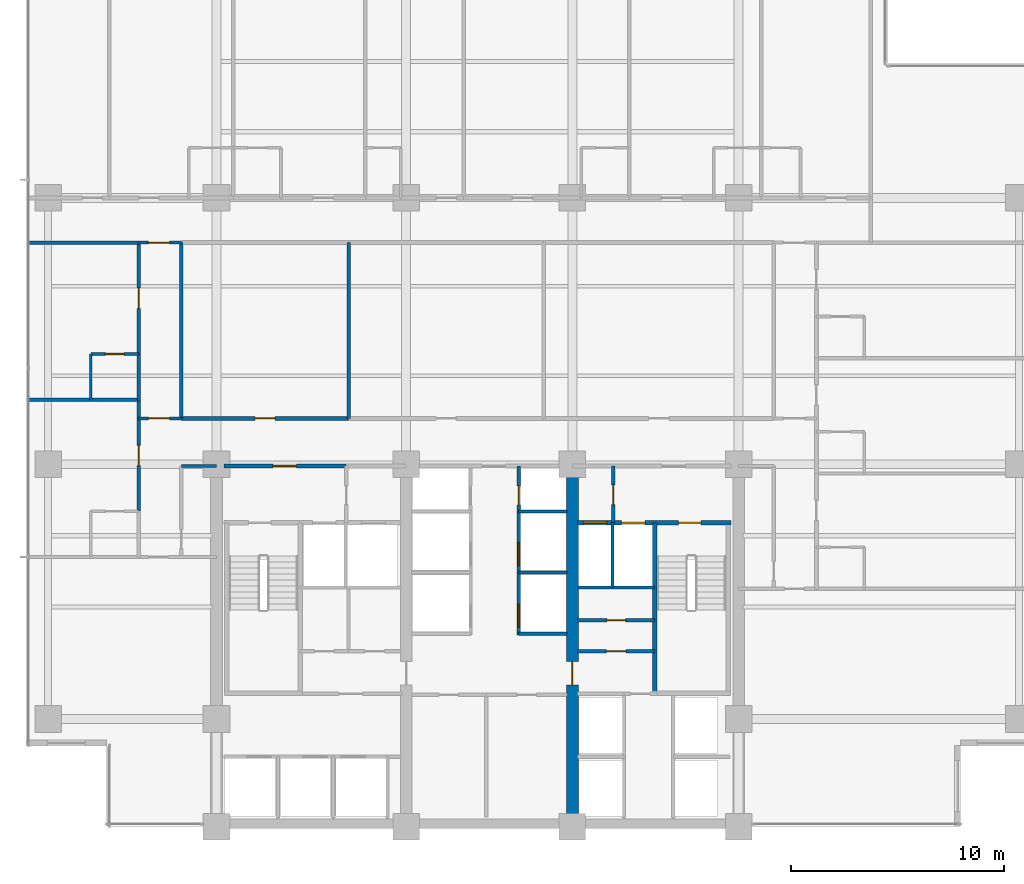
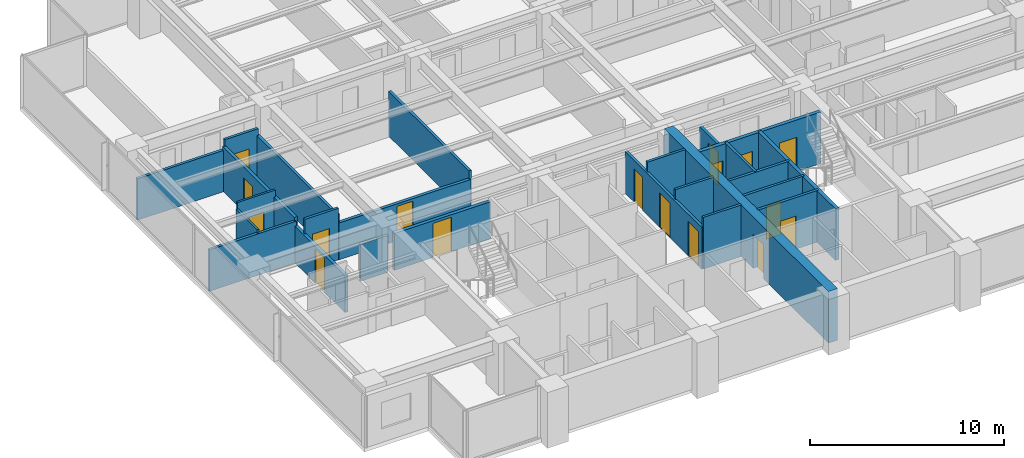
# One storey, part 9 of 17: 26 walls, 17 doors, 17 openings.
"""IFC4 building model written with IfcOpenShell, lengths in metres."""

import ifcopenshell
import ifcopenshell.guid

model = None  # the IFC model being written
_history = None  # IfcOwnerHistory: only IFC2X3 demands one
_inside = {}  # id of a spatial element -> (the spatial element, [elements in it])
_under = {}  # id of a project, library or spatial element -> (it, [spatial elements below it])
_declared = {}  # id of a project -> (the project, [libraries it declares])
_typed = {}  # id of a type object -> (the type object, [elements of that type])
_made_of = {}  # id of a material, layer set ... -> (it, [elements and type objects made of it])


def new_model(schema):
    """Start an empty IFC model of exactly this schema.

    Asked for "IFC4X3", IfcOpenShell would pick the latest addendum, in which some entities
    have other attributes; the version numbers below select the first issue.
    IFC2X3 requires an IfcOwnerHistory on every rooted entity: one is made here for all.
    """
    global model, _history
    if schema == "IFC4X3":
        model = ifcopenshell.file(schema_version=(4, 3, 0, 0))
    else:
        model = ifcopenshell.file(schema=schema)
    _inside.clear()
    _under.clear()
    _declared.clear()
    _typed.clear()
    _made_of.clear()
    _history = None
    if model.schema == "IFC2X3":
        org = make("IfcOrganization", Name="unknown")
        user = make(
            "IfcPersonAndOrganization",
            ThePerson=make("IfcPerson", FamilyName="unknown"),
            TheOrganization=org,
        )
        app = make(
            "IfcApplication",
            ApplicationDeveloper=org,
            Version="unknown",
            ApplicationFullName="unknown",
            ApplicationIdentifier="unknown",
        )
        _history = make(
            "IfcOwnerHistory",
            OwningUser=user,
            OwningApplication=app,
            ChangeAction="ADDED",
            CreationDate=0,
        )
    return model


def make(cls, **values):
    """One entity of the class cls with the attributes given. An attribute that is None is left unset."""
    return model.create_entity(
        cls, **{name: value for name, value in values.items() if value is not None}
    )


def rooted(cls, **values):
    """An entity with a GlobalId (a new one), such as an element, a storey or a relation."""
    return make(cls, GlobalId=ifcopenshell.guid.new(), OwnerHistory=_history, **values)


def si_unit(unit_type, name, prefix=None):
    """IfcSIUnit, for example si_unit("LENGTHUNIT", "METRE", prefix="MILLI")."""
    return make("IfcSIUnit", UnitType=unit_type, Prefix=prefix, Name=name)


def assignment(units):
    """IfcUnitAssignment: the units of a project."""
    return None if units is None else make("IfcUnitAssignment", Units=units)


def point(xyz):
    """IfcCartesianPoint."""
    return None if xyz is None else make("IfcCartesianPoint", Coordinates=xyz)


def direction(xyz):
    """IfcDirection."""
    return None if xyz is None else make("IfcDirection", DirectionRatios=xyz)


def frame(location, z_axis=None, x_axis=None):
    """IfcAxis2Placement3D, a coordinate frame: its origin and axes. An axis left out is left unset."""
    return make(
        "IfcAxis2Placement3D",
        Location=point(location),
        Axis=direction(z_axis),
        RefDirection=direction(x_axis),
    )


def frame_2d(location, x_axis=None):
    """IfcAxis2Placement2D, a coordinate frame in the plane: its origin and x axis."""
    return make(
        "IfcAxis2Placement2D", Location=point(location), RefDirection=direction(x_axis)
    )


def origin():
    """The frame at (0, 0, 0) with its axes left unset."""
    return frame((0.0, 0.0, 0.0))


def place(relative_to, where):
    """IfcLocalPlacement: puts the frame where relative to a parent placement (None: the world)."""
    return make(
        "IfcLocalPlacement", PlacementRelTo=relative_to, RelativePlacement=where
    )


def context(
    kind, dimensions, precision=None, world=None, true_north=None, identifier=None
):
    """IfcGeometricRepresentationContext, for example the 3D "Model" context."""
    return make(
        "IfcGeometricRepresentationContext",
        ContextIdentifier=identifier,
        ContextType=kind,
        CoordinateSpaceDimension=dimensions,
        Precision=precision,
        WorldCoordinateSystem=world,
        TrueNorth=true_north,
    )


def subcontext(parent, identifier, kind, view, scale=None):
    """IfcGeometricRepresentationSubContext, for example "Body" below "Model"."""
    return make(
        "IfcGeometricRepresentationSubContext",
        ContextIdentifier=identifier,
        ContextType=kind,
        ParentContext=parent,
        TargetScale=scale,
        TargetView=view,
    )


def project(units=None, contexts=None):
    """IfcProject with its units and contexts."""
    return rooted(
        "IfcProject",
        Name="project",
        RepresentationContexts=contexts,
        UnitsInContext=assignment(units),
    )


def spatial(cls, under=None, at=None, **own):
    """A site, building, storey or space (cls), placed at a placement, below another one or the project."""
    s = rooted(cls, ObjectPlacement=at, **own)
    if under is not None:
        _under.setdefault(under.id(), (under, []))[1].append(s)
    return s


def profile(cls, at=None, kind="AREA", **sizes):
    """A parametric profile (cls). Its sizes go by their IFC names, for example OverallWidth=200.0."""
    return make(cls, ProfileType=kind, Position=at, **sizes)


def rectangle(**sizes):
    """IfcRectangleProfileDef."""
    return profile("IfcRectangleProfileDef", **sizes)


def extrude(swept, where, along, depth):
    """IfcExtrudedAreaSolid: the profile swept, set in the frame where, extruded along a direction by depth."""
    return make(
        "IfcExtrudedAreaSolid",
        SweptArea=swept,
        Position=where,
        ExtrudedDirection=direction(along),
        Depth=depth,
    )


def shape(context_of_items, identifier, shape_type, items):
    """IfcShapeRepresentation: the items that make up one representation, for example the "Body"."""
    return make(
        "IfcShapeRepresentation",
        ContextOfItems=context_of_items,
        RepresentationIdentifier=identifier,
        RepresentationType=shape_type,
        Items=items,
    )


def material(Name=None, Category=None):
    """IfcMaterial."""
    return make("IfcMaterial", Name=Name, Category=Category)


def layer(
    of_material, thickness, ventilated=None, Name=None, Category=None, Priority=None
):
    """IfcMaterialLayer: one layer of a wall or slab, of a material (None: an air gap)."""
    return make(
        "IfcMaterialLayer",
        Material=of_material,
        LayerThickness=thickness,
        IsVentilated=ventilated,
        Name=Name,
        Category=Category,
        Priority=Priority,
    )


def layer_set(layers, Name=None):
    """IfcMaterialLayerSet."""
    return make("IfcMaterialLayerSet", MaterialLayers=layers, LayerSetName=Name)


def made_of(thing, what):
    """Note that an element or type object is made of a material, layer set ...; save() writes the relation."""
    if what is not None:
        _made_of.setdefault(what.id(), (what, []))[1].append(thing)
    return thing


def type_object(cls, material=None, **own):
    """A type object (cls), such as IfcWallType, which elements share."""
    return made_of(rooted(cls, **own), material)


def element(
    cls,
    number,
    at=None,
    inside=None,
    cuts=None,
    type_object=None,
    material=None,
    context=None,
    identifier="Body",
    shape_type=None,
    held_by="IfcProductDefinitionShape",
    body=None,
    shapes=None,
    **own,
):
    """One element of the class cls, such as IfcWall. Its Tag is "e" and its number.

    at: its placement. inside: the storey or other place that contains it. cuts: it is an
    opening in that element (IfcRelVoidsElement). A single representation is given by context,
    identifier, shape_type and body (its items); several are given by shapes. held_by: the class
    of the entity that holds the representations. save() writes the other relations.
    """
    e = rooted(cls, Tag="e%d" % number, ObjectPlacement=at, **own)
    if body is not None:
        shapes = [shape(context, identifier, shape_type, body)]
    if shapes is not None:
        e.Representation = make(held_by, Representations=shapes)
    if inside is not None:
        _inside.setdefault(inside.id(), (inside, []))[1].append(e)
    if cuts is not None:
        rooted(
            "IfcRelVoidsElement", RelatingBuildingElement=cuts, RelatedOpeningElement=e
        )
    if type_object is not None:
        _typed.setdefault(type_object.id(), (type_object, []))[1].append(e)
    return made_of(e, material)


def fill(opening, filler):
    """IfcRelFillsElement: the door or window that sits in an opening."""
    return rooted(
        "IfcRelFillsElement",
        RelatingOpeningElement=opening,
        RelatedBuildingElement=filler,
    )


def aggregate(whole, parts):
    """IfcRelAggregates: a whole, such as a stair, and the parts it consists of."""
    return rooted("IfcRelAggregates", RelatingObject=whole, RelatedObjects=parts)


def save(model, path):
    """Write the relations noted so far, then the file.

    IfcRelAggregates (storeys below a building ...), IfcRelContainedInSpatialStructure (elements
    in a storey), IfcRelDefinesByType, IfcRelAssociatesMaterial and IfcRelDeclares: one each for
    every whole, place, type object, material and project.
    """
    for whole, parts in _under.values():
        aggregate(whole, parts)
    for where, things in _inside.values():
        rooted(
            "IfcRelContainedInSpatialStructure",
            RelatedElements=things,
            RelatingStructure=where,
        )
    for kind, things in _typed.values():
        rooted("IfcRelDefinesByType", RelatedObjects=things, RelatingType=kind)
    for what, things in _made_of.values():
        rooted("IfcRelAssociatesMaterial", RelatedObjects=things, RelatingMaterial=what)
    for by, libraries in _declared.values():
        rooted("IfcRelDeclares", RelatingContext=by, RelatedDefinitions=libraries)
    model.write(path)


model = new_model("IFC4")

# Units and contexts
model_context = context("Model", 3, precision=1e-05, world=origin(), true_north=direction((0.0, 1.0)))
body_context = subcontext(model_context, "Body", "Model", "MODEL_VIEW")
ifc_project = project(units=[si_unit("LENGTHUNIT", "METRE"), si_unit("AREAUNIT", "SQUARE_METRE"), si_unit("VOLUMEUNIT", "CUBIC_METRE"), si_unit("PLANEANGLEUNIT", "RADIAN"), si_unit("MASSUNIT", "GRAM", prefix="KILO")], contexts=[model_context])

# Site, building, storey
site_placement = place(None, origin())
site = spatial("IfcSite", under=ifc_project, at=site_placement, CompositionType="ELEMENT")
building_placement = place(site_placement, origin())
building = spatial("IfcBuilding", under=site, at=building_placement, Name="Qalmaran Belvedere Hotel", CompositionType="ELEMENT")
storey_placement = place(building_placement, frame((0.0, 0.0, 109.199951171875)))
storey = spatial("IfcBuildingStorey", under=building, at=storey_placement, Name="L27", CompositionType="ELEMENT", Elevation=109.199951171875)

# Wall, opening, door
ifc_material_1 = material(Name="Concrete C60/75", Category="concrete")
ifc_layer_1 = layer(ifc_material_1, 0.550048828125, Name="Concrete C60/75")
ifc_layer_set_1 = layer_set([ifc_layer_1], Name="Concrete C60/75")
wall_type_1 = type_object("IfcWallType", Name="WL-CORE-550-C60", PredefinedType="SHEAR", material=ifc_layer_set_1)
wall_1_placement = place(storey_placement, frame((37.0, 3.5, 0.0), z_axis=(0.0, 0.0, 1.0), x_axis=(0.0, 1.0, 0.0)))
wall_1 = element("IfcWall", 1, at=wall_1_placement, inside=storey, type_object=wall_type_1, Name="L27 Core East Spine Shear Wall", PredefinedType="SHEAR", context=body_context, shape_type="SweptSolid", body=[
    extrude(rectangle(XDim=16.89990234375, YDim=0.550048828125, at=frame_2d((8.449951171875, 0.0))), origin(), (0.0, 0.0, 1.0), 3.239990234375),
])
opening_1_placement = place(wall_1_placement, frame((6.64990234375, 0.0, 0.0)))
opening_1 = element("IfcOpeningElement", 2, at=opening_1_placement, cuts=wall_1, Name="Opening FD90", PredefinedType="OPENING", context=body_context, shape_type="SweptSolid", body=[
    extrude(rectangle(XDim=1.10009765625, YDim=2.14990234375, at=frame_2d((0.550048828125, 1.074951171875))), frame((0.0, 0.28515625, 0.0), z_axis=(0.0, -1.0, 0.0), x_axis=(1.0, 0.0, 0.0)), (0.0, 0.0, 1.0), 0.570068359375),
])
ifc_material_2 = material(Name="Steel S355JR", Category="steel")
door_type_1 = type_object("IfcDoorType", Name="DR-FD90-1100X2150", OperationType="NOTDEFINED", PredefinedType="DOOR", material=ifc_material_2)
door_1_placement = place(opening_1_placement, origin())
door_1 = element("IfcDoor", 3, at=door_1_placement, inside=storey, type_object=door_type_1, Name="L27 Core East Cross-Lobby Door", OperationType="SINGLE_SWING_RIGHT", OverallHeight=2.14990234375, OverallWidth=1.10009765625, PredefinedType="DOOR", context=body_context, shape_type="SweptSolid", body=[
    extrude(rectangle(XDim=1.10009765625, YDim=2.14990234375, at=frame_2d((0.550048828125, 1.074951171875))), frame((0.0, 0.02490234375, 0.0), z_axis=(0.0, -1.0, 0.0), x_axis=(1.0, 0.0, 0.0)), (0.0, 0.0, 1.0), 0.050048828125),
])
fill(opening_1, door_1)

ifc_material_3 = material(Name="Moisture-Resistant Gypsum")
ifc_layer_2 = layer(ifc_material_3, 0.1201171875, Name="Moisture-Resistant Gypsum")
ifc_layer_set_2 = layer_set([ifc_layer_2], Name="Moisture-Resistant Gypsum")
wall_type_2 = type_object("IfcWallType", Name="WL-INT-120-BATH", PredefinedType="PARTITIONING", material=ifc_layer_set_2)
wall_2_placement = place(storey_placement, frame((14.39990234375, 25.675048828125, 0.0), z_axis=(0.0, 0.0, 1.0), x_axis=(1.0, 0.0, 0.0)))
wall_2 = element("IfcWall", 4, at=wall_2_placement, inside=storey, type_object=wall_type_2, Name="L27 Partition WL-L27-WBN01", PredefinedType="PARTITIONING", context=body_context, shape_type="SweptSolid", body=[
    extrude(rectangle(XDim=2.25, YDim=0.1201171875, at=frame_2d((1.125, 0.0))), origin(), (0.0, 0.0, 1.0), 3.239990234375),
])
opening_2_placement = place(wall_2_placement, frame((1.56494140625, 0.0, 0.0), z_axis=(0.0, 0.0, 1.0), x_axis=(-1.0, 0.0, 0.0)))
opening_2 = element("IfcOpeningElement", 5, at=opening_2_placement, cuts=wall_2, Name="Opening D-BATH", PredefinedType="OPENING", context=body_context, shape_type="SweptSolid", body=[
    extrude(rectangle(XDim=0.8798828125, YDim=2.080078125, at=frame_2d((0.43994140625, 1.0400390625))), frame((0.0, 0.070068359375, 0.0), z_axis=(0.0, -1.0, 0.0), x_axis=(1.0, 0.0, 0.0)), (0.0, 0.0, 1.0), 0.14013671875),
])
ifc_material_4 = material(Name="Engineered Oak Veneer")
door_type_2 = type_object("IfcDoorType", Name="DR-INT-BATH-880X2080", OperationType="NOTDEFINED", PredefinedType="DOOR", material=ifc_material_4)
door_2_placement = place(opening_2_placement, origin())
door_2 = element("IfcDoor", 6, at=door_2_placement, inside=storey, type_object=door_type_2, Name="L27 W Ensuite Door 02", OperationType="SINGLE_SWING_LEFT", OverallHeight=2.080078125, OverallWidth=0.8798828125, PredefinedType="DOOR", context=body_context, shape_type="SweptSolid", body=[
    extrude(rectangle(XDim=0.8798828125, YDim=2.080078125, at=frame_2d((0.43994140625, 1.0400390625))), frame((0.0, 0.02490234375, 0.0), z_axis=(0.0, -1.0, 0.0), x_axis=(1.0, 0.0, 0.0)), (0.0, 0.0, 1.0), 0.050048828125),
])
fill(opening_2, door_2)

# Walls
wall_3_placement = place(storey_placement, frame((14.39990234375, 23.52490234375, 0.0), z_axis=(0.0, 0.0, 1.0), x_axis=(0.0, 1.0, 0.0)))
element("IfcWall", 7, at=wall_3_placement, inside=storey, type_object=wall_type_2, Name="L27 Partition WL-L27-WBS01", PredefinedType="PARTITIONING", context=body_context, shape_type="SweptSolid", body=[
    extrude(rectangle(XDim=2.150146484375, YDim=0.1201171875, at=frame_2d((1.0751953125, 0.0))), origin(), (0.0, 0.0, 1.0), 2.818115234375),
])
ifc_material_5 = material(Name="Gypsum Stud Partition")
ifc_layer_3 = layer(ifc_material_5, 0.14990234375, Name="Gypsum Stud Partition")
ifc_layer_set_3 = layer_set([ifc_layer_3], Name="Gypsum Stud Partition")
wall_type_3 = type_object("IfcWallType", Name="WL-INT-150-EI120", PredefinedType="PARTITIONING", material=ifc_layer_set_3)
wall_4_placement = place(storey_placement, frame((38.8798828125, 14.719970703125, 0.0), z_axis=(0.0, 0.0, 1.0), x_axis=(0.0, 1.0, 0.0)))
element("IfcWall", 8, at=wall_4_placement, inside=storey, type_object=wall_type_3, Name="L27 Partition WL-FF2M-L27", PredefinedType="PARTITIONING", context=body_context, shape_type="SweptSolid", body=[
    extrude(rectangle(XDim=3.0400390625, YDim=0.14990234375, at=frame_2d((1.52001953125, 0.0))), origin(), (0.0, 0.0, 1.0), 3.239990234375),
])
for number, where, z_axis, x_axis, name in (
    (9, (34.47998046875, 12.550048828125, 0.0), (0.0, 0.0, 1.0), (1.0, 0.0, 0.0), "L27 Partition WL-PME-L27-125"),
    (10, (34.47998046875, 15.419921875, 0.0), (0.0, 0.0, 1.0), (1.0, 0.0, 0.0), "L27 Partition WL-PME-L27-154"),
    (11, (34.47998046875, 18.280029296875, 0.0), (0.0, 0.0, 1.0), (1.0, 0.0, 0.0), "L27 Partition WL-PME-L27-182"),
):
    element("IfcWall", number, at=place(storey_placement, frame(where, z_axis=z_axis, x_axis=x_axis)), inside=storey, type_object=wall_type_3, Name=name, PredefinedType="PARTITIONING", context=body_context, shape_type="SweptSolid", body=[
        extrude(rectangle(XDim=2.27001953125, YDim=0.14990234375, at=frame_2d((1.135009765625, 0.0))), origin(), (0.0, 0.0, 1.0), 3.239990234375),
    ])

# Wall, opening, door
ifc_layer_4 = layer(ifc_material_5, 0.14990234375, Name="Gypsum Stud Partition")
ifc_layer_set_4 = layer_set([ifc_layer_4], Name="Gypsum Stud Partition")
wall_type_4 = type_object("IfcWallType", Name="WL-INT-150-EI60", PredefinedType="PARTITIONING", material=ifc_layer_set_4)
wall_5_placement = place(storey_placement, frame((37.25, 13.18505859375, 0.0), z_axis=(0.0, 0.0, 1.0), x_axis=(1.0, 0.0, 0.0)))
wall_5 = element("IfcWall", 12, at=wall_5_placement, inside=storey, type_object=wall_type_4, Name="L27 Partition WL-L27-KEHM", PredefinedType="PARTITIONING", context=body_context, shape_type="SweptSolid", body=[
    extrude(rectangle(XDim=3.610107421875, YDim=0.14990234375, at=frame_2d((1.80517578125, 0.0))), origin(), (0.0, 0.0, 1.0), 3.239990234375),
])
opening_3_placement = place(wall_5_placement, frame((1.364990234375, 0.0, 0.0)))
opening_3 = element("IfcOpeningElement", 13, at=opening_3_placement, cuts=wall_5, Name="Opening FD60B", PredefinedType="OPENING", context=body_context, shape_type="SweptSolid", body=[
    extrude(rectangle(XDim=0.8798828125, YDim=2.080078125, at=frame_2d((0.43994140625, 1.0400390625))), frame((0.0, 0.0849609375, 0.0), z_axis=(0.0, -1.0, 0.0), x_axis=(1.0, 0.0, 0.0)), (0.0, 0.0, 1.0), 0.169921875),
])
door_type_3 = type_object("IfcDoorType", Name="DR-FD60B-880X2080", OperationType="NOTDEFINED", PredefinedType="DOOR", material=ifc_material_2)
door_3_placement = place(opening_3_placement, origin())
door_3 = element("IfcDoor", 14, at=door_3_placement, inside=storey, type_object=door_type_3, Name="L27 Hotel Linen Closet Door", OperationType="SINGLE_SWING_LEFT", OverallHeight=2.080078125, OverallWidth=0.8798828125, PredefinedType="DOOR", context=body_context, shape_type="SweptSolid", body=[
    extrude(rectangle(XDim=0.8798828125, YDim=2.080078125, at=frame_2d((0.43994140625, 1.0400390625))), frame((0.0, 0.02490234375, 0.0), z_axis=(0.0, -1.0, 0.0), x_axis=(1.0, 0.0, 0.0)), (0.0, 0.0, 1.0), 0.050048828125),
])
fill(opening_3, door_3)

wall_6_placement = place(storey_placement, frame((16.64990234375, 22.64990234375, 0.0), z_axis=(0.0, 0.0, 1.0), x_axis=(1.0, 0.0, 0.0)))
wall_6 = element("IfcWall", 15, at=wall_6_placement, inside=storey, type_object=wall_type_4, Name="L27 Partition WL-L27-XCW1", PredefinedType="PARTITIONING", context=body_context, shape_type="SweptSolid", body=[
    extrude(rectangle(XDim=2.0, YDim=0.14990234375, at=frame_2d((1.0, 0.0))), origin(), (0.0, 0.0, 1.0), 3.239990234375),
])
opening_4_placement = place(wall_6_placement, frame((0.449951171875, 0.0, 0.0)))
opening_4 = element("IfcOpeningElement", 16, at=opening_4_placement, cuts=wall_6, Name="Opening FD90B", PredefinedType="OPENING", context=body_context, shape_type="SweptSolid", body=[
    extrude(rectangle(XDim=1.0, YDim=2.14990234375, at=frame_2d((0.5, 1.074951171875))), frame((0.0, 0.0849609375, 0.0), z_axis=(0.0, -1.0, 0.0), x_axis=(1.0, 0.0, 0.0)), (0.0, 0.0, 1.0), 0.169921875),
])
door_type_4 = type_object("IfcDoorType", Name="DR-FD90B-1000X2150", OperationType="NOTDEFINED", PredefinedType="DOOR", material=ifc_material_2)
door_4_placement = place(opening_4_placement, origin())
door_4 = element("IfcDoor", 17, at=door_4_placement, inside=storey, type_object=door_type_4, Name="L27 West Corridor Smoke Door S", OperationType="SINGLE_SWING_RIGHT", OverallHeight=2.14990234375, OverallWidth=1.0, PredefinedType="DOOR", context=body_context, shape_type="SweptSolid", body=[
    extrude(rectangle(XDim=1.0, YDim=2.14990234375, at=frame_2d((0.5, 1.074951171875))), frame((0.0, 0.02490234375, 0.0), z_axis=(0.0, -1.0, 0.0), x_axis=(1.0, 0.0, 0.0)), (0.0, 0.0, 1.0), 0.050048828125),
])
fill(opening_4, door_4)

wall_7_placement = place(storey_placement, frame((16.64990234375, 30.89990234375, 0.0), z_axis=(0.0, 0.0, 1.0), x_axis=(1.0, 0.0, 0.0)))
wall_7 = element("IfcWall", 18, at=wall_7_placement, inside=storey, type_object=wall_type_4, Name="L27 Partition WL-L27-XCW2", PredefinedType="PARTITIONING", context=body_context, shape_type="SweptSolid", body=[
    extrude(rectangle(XDim=2.0, YDim=0.14990234375, at=frame_2d((1.0, 0.0))), origin(), (0.0, 0.0, 1.0), 3.239990234375),
])
opening_5_placement = place(wall_7_placement, frame((0.449951171875, 0.0, 0.0)))
opening_5 = element("IfcOpeningElement", 19, at=opening_5_placement, cuts=wall_7, Name="Opening FD90B", PredefinedType="OPENING", context=body_context, shape_type="SweptSolid", body=[
    extrude(rectangle(XDim=1.0, YDim=2.14990234375, at=frame_2d((0.5, 1.074951171875))), frame((0.0, 0.0849609375, 0.0), z_axis=(0.0, -1.0, 0.0), x_axis=(1.0, 0.0, 0.0)), (0.0, 0.0, 1.0), 0.169921875),
])
door_5_placement = place(opening_5_placement, origin())
door_5 = element("IfcDoor", 20, at=door_5_placement, inside=storey, type_object=door_type_4, Name="L27 West Corridor Smoke Door N", OperationType="SINGLE_SWING_LEFT", OverallHeight=2.14990234375, OverallWidth=1.0, PredefinedType="DOOR", context=body_context, shape_type="SweptSolid", body=[
    extrude(rectangle(XDim=1.0, YDim=2.14990234375, at=frame_2d((0.5, 1.074951171875))), frame((0.0, 0.02490234375, 0.0), z_axis=(0.0, -1.0, 0.0), x_axis=(1.0, 0.0, 0.0)), (0.0, 0.0, 1.0), 0.050048828125),
])
fill(opening_5, door_5)

ifc_layer_5 = layer(ifc_material_5, 0.159912109375, Name="Gypsum Stud Partition")
ifc_layer_set_5 = layer_set([ifc_layer_5], Name="Gypsum Stud Partition")
wall_type_5 = type_object("IfcWallType", Name="WL-INT-160-EI120", PredefinedType="PARTITIONING", material=ifc_layer_set_5)
wall_8_placement = place(storey_placement, frame((38.919921875, 17.760009765625, 0.0), z_axis=(0.0, 0.0, 1.0), x_axis=(0.0, 1.0, 0.0)))
wall_8 = element("IfcWall", 21, at=wall_8_placement, inside=storey, type_object=wall_type_5, Name="L27 Partition WL-FFSV2-L27", PredefinedType="PARTITIONING", context=body_context, shape_type="SweptSolid", body=[
    extrude(rectangle(XDim=2.659912109375, YDim=0.159912109375, at=frame_2d((1.330078125, 0.0))), origin(), (0.0, 0.0, 1.0), 2.614013671875),
])
opening_6_placement = place(wall_8_placement, frame((1.77001953125, 0.0, 0.0), z_axis=(0.0, 0.0, 1.0), x_axis=(-1.0, 0.0, 0.0)))
opening_6 = element("IfcOpeningElement", 22, at=opening_6_placement, cuts=wall_8, Name="Opening FD60S1", PredefinedType="OPENING", context=body_context, shape_type="SweptSolid", body=[
    extrude(rectangle(XDim=0.919921875, YDim=2.080078125, at=frame_2d((0.4599609375, 1.0400390625))), frame((0.0, 0.08984375, 0.0), z_axis=(0.0, -1.0, 0.0), x_axis=(1.0, 0.0, 0.0)), (0.0, 0.0, 1.0), 0.179931640625),
])
door_type_5 = type_object("IfcDoorType", Name="DR-FD60S-920X2080", OperationType="NOTDEFINED", PredefinedType="DOOR", material=ifc_material_4)
door_6_placement = place(opening_6_placement, origin())
door_6 = element("IfcDoor", 23, at=door_6_placement, inside=storey, type_object=door_type_5, Name="L27 Service Lobby East Door", OperationType="SINGLE_SWING_RIGHT", OverallHeight=2.080078125, OverallWidth=0.919921875, PredefinedType="DOOR", context=body_context, shape_type="SweptSolid", body=[
    extrude(rectangle(XDim=0.919921875, YDim=2.080078125, at=frame_2d((0.4599609375, 1.0400390625))), frame((0.0, 0.02490234375, 0.0), z_axis=(0.0, -1.0, 0.0), x_axis=(1.0, 0.0, 0.0)), (0.0, 0.0, 1.0), 0.050048828125),
])
fill(opening_6, door_6)

# Wall
wall_9_placement = place(storey_placement, frame((37.25, 14.719970703125, 0.0), z_axis=(0.0, 0.0, 1.0), x_axis=(1.0, 0.0, 0.0)))
element("IfcWall", 24, at=wall_9_placement, inside=storey, type_object=wall_type_5, Name="L27 Partition WL-FF2S-L27", PredefinedType="PARTITIONING", context=body_context, shape_type="SweptSolid", body=[
    extrude(rectangle(XDim=3.610107421875, YDim=0.159912109375, at=frame_2d((1.80517578125, 0.0))), origin(), (0.0, 0.0, 1.0), 3.239990234375),
])

# Wall, openings, doors
wall_10_placement = place(storey_placement, frame((34.47998046875, 12.5, 0.0), z_axis=(0.0, 0.0, 1.0), x_axis=(0.0, 1.0, 0.0)))
wall_10 = element("IfcWall", 25, at=wall_10_placement, inside=storey, type_object=wall_type_5, Name="L27 Partition WL-CLBEN-L27", PredefinedType="PARTITIONING", context=body_context, shape_type="SweptSolid", body=[
    extrude(rectangle(XDim=7.919921875, YDim=0.159912109375, at=frame_2d((3.9599609375, 0.0))), origin(), (0.0, 0.0, 1.0), 2.614013671875),
])
opening_7_placement = place(wall_10_placement, frame((0.35009765625, 0.0, 0.0)))
opening_7 = element("IfcOpeningElement", 26, at=opening_7_placement, cuts=wall_10, Name="Opening LD-P1", PredefinedType="OPENING", context=body_context, shape_type="SweptSolid", body=[
    extrude(rectangle(XDim=1.080078125, YDim=2.159912109375, at=frame_2d((0.5400390625, 1.080078125))), frame((0.0, 0.08984375, 0.0), z_axis=(0.0, -1.0, 0.0), x_axis=(1.0, 0.0, 0.0)), (0.0, 0.0, 1.0), 0.179931640625),
])
opening_8_placement = place(wall_10_placement, frame((3.25, 0.0, 0.0)))
opening_8 = element("IfcOpeningElement", 27, at=opening_8_placement, cuts=wall_10, Name="Opening LD-P1", PredefinedType="OPENING", context=body_context, shape_type="SweptSolid", body=[
    extrude(rectangle(XDim=1.080078125, YDim=2.159912109375, at=frame_2d((0.5400390625, 1.080078125))), frame((0.0, 0.08984375, 0.0), z_axis=(0.0, -1.0, 0.0), x_axis=(1.0, 0.0, 0.0)), (0.0, 0.0, 1.0), 0.179931640625),
])
opening_9_placement = place(wall_10_placement, frame((6.97998046875, 0.0, 0.0), z_axis=(0.0, 0.0, 1.0), x_axis=(-1.0, 0.0, 0.0)))
opening_9 = element("IfcOpeningElement", 28, at=opening_9_placement, cuts=wall_10, Name="Opening FD60B", PredefinedType="OPENING", context=body_context, shape_type="SweptSolid", body=[
    extrude(rectangle(XDim=0.8798828125, YDim=2.080078125, at=frame_2d((0.43994140625, 1.0400390625))), frame((0.0, 0.08984375, 0.0), z_axis=(0.0, -1.0, 0.0), x_axis=(1.0, 0.0, 0.0)), (0.0, 0.0, 1.0), 0.179931640625),
])
door_7_placement = place(opening_9_placement, origin())
door_7 = element("IfcDoor", 29, at=door_7_placement, inside=storey, type_object=door_type_3, Name="L27 East Riser Access Door", OperationType="SINGLE_SWING_LEFT", OverallHeight=2.080078125, OverallWidth=0.8798828125, PredefinedType="DOOR", context=body_context, shape_type="SweptSolid", body=[
    extrude(rectangle(XDim=0.8798828125, YDim=2.080078125, at=frame_2d((0.43994140625, 1.0400390625))), frame((0.0, 0.02490234375, 0.0), z_axis=(0.0, -1.0, 0.0), x_axis=(1.0, 0.0, 0.0)), (0.0, 0.0, 1.0), 0.050048828125),
])
fill(opening_9, door_7)
ifc_material_6 = material(Name="Stainless Steel 1.4401", Category="steel")
door_type_6 = type_object("IfcDoorType", Name="DR-LIFT-P1-1080X2160", OperationType="DOUBLE_DOOR_SLIDING", PredefinedType="DOOR", material=ifc_material_6)
door_8_placement = place(opening_7_placement, origin())
door_8 = element("IfcDoor", 30, at=door_8_placement, inside=storey, type_object=door_type_6, Name="L27 PM3 Lift Landing Door", OperationType="DOUBLE_DOOR_SLIDING", OverallHeight=2.159912109375, OverallWidth=1.080078125, PredefinedType="DOOR", context=body_context, shape_type="SweptSolid", body=[
    extrude(rectangle(XDim=1.080078125, YDim=2.159912109375, at=frame_2d((0.5400390625, 1.080078125))), frame((0.0, 0.02490234375, 0.0), z_axis=(0.0, -1.0, 0.0), x_axis=(1.0, 0.0, 0.0)), (0.0, 0.0, 1.0), 0.050048828125),
])
fill(opening_7, door_8)
door_9_placement = place(opening_8_placement, origin())
door_9 = element("IfcDoor", 31, at=door_9_placement, inside=storey, type_object=door_type_6, Name="L27 PM4 Lift Landing Door", OperationType="DOUBLE_DOOR_SLIDING", OverallHeight=2.159912109375, OverallWidth=1.080078125, PredefinedType="DOOR", context=body_context, shape_type="SweptSolid", body=[
    extrude(rectangle(XDim=1.080078125, YDim=2.159912109375, at=frame_2d((0.5400390625, 1.080078125))), frame((0.0, 0.02490234375, 0.0), z_axis=(0.0, -1.0, 0.0), x_axis=(1.0, 0.0, 0.0)), (0.0, 0.0, 1.0), 0.050048828125),
])
fill(opening_8, door_9)

# Wall, opening, door
ifc_layer_6 = layer(ifc_material_5, 0.159912109375, Name="Gypsum Stud Partition")
ifc_layer_set_6 = layer_set([ifc_layer_6], Name="Gypsum Stud Partition")
wall_type_6 = type_object("IfcWallType", Name="WL-INT-160-EI60", PredefinedType="PARTITIONING", material=ifc_layer_set_6)
wall_11_placement = place(storey_placement, frame((37.25, 11.719970703125, 0.0), z_axis=(0.0, 0.0, 1.0), x_axis=(1.0, 0.0, 0.0)))
wall_11 = element("IfcWall", 32, at=wall_11_placement, inside=storey, type_object=wall_type_6, Name="L27 Partition WL-L27-KEE1", PredefinedType="PARTITIONING", context=body_context, shape_type="SweptSolid", body=[
    extrude(rectangle(XDim=3.610107421875, YDim=0.159912109375, at=frame_2d((1.80517578125, 0.0))), origin(), (0.0, 0.0, 1.0), 3.239990234375),
])
opening_10_placement = place(wall_11_placement, frame((1.344970703125, 0.0, 0.0)))
opening_10 = element("IfcOpeningElement", 33, at=opening_10_placement, cuts=wall_11, Name="Opening FD60S1", PredefinedType="OPENING", context=body_context, shape_type="SweptSolid", body=[
    extrude(rectangle(XDim=0.919921875, YDim=2.080078125, at=frame_2d((0.4599609375, 1.0400390625))), frame((0.0, 0.08984375, 0.0), z_axis=(0.0, -1.0, 0.0), x_axis=(1.0, 0.0, 0.0)), (0.0, 0.0, 1.0), 0.179931640625),
])
door_10_placement = place(opening_10_placement, origin())
door_10 = element("IfcDoor", 34, at=door_10_placement, inside=storey, type_object=door_type_5, Name="L27 Low Voltage Switch Room Door", OperationType="SINGLE_SWING_RIGHT", OverallHeight=2.080078125, OverallWidth=0.919921875, PredefinedType="DOOR", context=body_context, shape_type="SweptSolid", body=[
    extrude(rectangle(XDim=0.919921875, YDim=2.080078125, at=frame_2d((0.4599609375, 1.0400390625))), frame((0.0, 0.02490234375, 0.0), z_axis=(0.0, -1.0, 0.0), x_axis=(1.0, 0.0, 0.0)), (0.0, 0.0, 1.0), 0.050048828125),
])
fill(opening_10, door_10)

# Walls
wall_12_placement = place(storey_placement, frame((18.64990234375, 20.419921875, 0.0), z_axis=(0.0, 0.0, 1.0), x_axis=(1.0, 0.0, 0.0)))
element("IfcWall", 35, at=wall_12_placement, inside=storey, type_object=wall_type_6, Name="L27 Partition WL-L27-WCLN", PredefinedType="PARTITIONING", context=body_context, shape_type="SweptSolid", body=[
    extrude(rectangle(XDim=1.650146484375, YDim=0.159912109375, at=frame_2d((0.8251953125, 0.0))), origin(), (0.0, 0.0, 1.0), 2.31298828125),
])
for number, where, z_axis, x_axis, name in (
    (36, (18.64990234375, 22.64990234375, 0.0), (0.0, 0.0, 1.0), (0.0, 1.0, 0.0), "L27 Partition WL-L27-MIDVL"),
    (37, (26.5, 22.64990234375, 0.0), (0.0, 0.0, 1.0), (0.0, 1.0, 0.0), "L27 Partition WL-L27-MIDVR1"),
):
    element("IfcWall", number, at=place(storey_placement, frame(where, z_axis=z_axis, x_axis=x_axis)), inside=storey, type_object=wall_type_6, Name=name, PredefinedType="PARTITIONING", context=body_context, shape_type="SweptSolid", body=[
        extrude(rectangle(XDim=8.25, YDim=0.159912109375, at=frame_2d((4.125, 0.0))), origin(), (0.0, 0.0, 1.0), 2.818115234375),
    ])
for number, where, z_axis, x_axis, name in (
    (38, (11.469970703125, 23.52490234375, 0.0), (0.0, 0.0, 1.0), (1.0, 0.0, 0.0), "L27 Partition WL-L27-WU00"),
    (39, (11.469970703125, 30.89990234375, 0.0), (0.0, 0.0, 1.0), (1.0, 0.0, 0.0), "L27 Partition WL-L27-WU01"),
):
    element("IfcWall", number, at=place(storey_placement, frame(where, z_axis=z_axis, x_axis=x_axis)), inside=storey, type_object=wall_type_6, Name=name, PredefinedType="PARTITIONING", context=body_context, shape_type="SweptSolid", body=[
        extrude(rectangle(XDim=5.179931640625, YDim=0.159912109375, at=frame_2d((2.58984375, 0.0))), origin(), (0.0, 0.0, 1.0), 2.60302734375),
    ])

# Wall, opening, door
ifc_layer_7 = layer(ifc_material_5, 0.179931640625, Name="Gypsum Stud Partition")
ifc_layer_set_7 = layer_set([ifc_layer_7], Name="Gypsum Stud Partition")
wall_type_7 = type_object("IfcWallType", Name="WL-INT-180-EI60", PredefinedType="PARTITIONING", material=ifc_layer_set_7)
wall_13_placement = place(storey_placement, frame((18.64990234375, 22.64990234375, 0.0), z_axis=(0.0, 0.0, 1.0), x_axis=(1.0, 0.0, 0.0)))
wall_13 = element("IfcWall", 40, at=wall_13_placement, inside=storey, type_object=wall_type_7, Name="L27 Partition WL-L27-MIDD1", PredefinedType="PARTITIONING", context=body_context, shape_type="SweptSolid", body=[
    extrude(rectangle(XDim=7.85009765625, YDim=0.179931640625, at=frame_2d((3.925048828125, 0.0))), origin(), (0.0, 0.0, 1.0), 2.31298828125),
])
opening_11_placement = place(wall_13_placement, frame((3.449951171875, 0.0, 0.0)))
opening_11 = element("IfcOpeningElement", 41, at=opening_11_placement, cuts=wall_13, Name="Opening FD60", PredefinedType="OPENING", context=body_context, shape_type="SweptSolid", body=[
    extrude(rectangle(XDim=0.949951171875, YDim=2.14990234375, at=frame_2d((0.47509765625, 1.074951171875))), frame((0.0, 0.10009765625, 0.0), z_axis=(0.0, -1.0, 0.0), x_axis=(1.0, 0.0, 0.0)), (0.0, 0.0, 1.0), 0.199951171875),
])
door_type_7 = type_object("IfcDoorType", Name="DR-FD60-950X2150", OperationType="NOTDEFINED", PredefinedType="DOOR", material=ifc_material_4)
door_11_placement = place(opening_11_placement, origin())
door_11 = element("IfcDoor", 42, at=door_11_placement, inside=storey, type_object=door_type_7, Name="L27 Housekeeping and Linen Room Door", OperationType="SINGLE_SWING_RIGHT", OverallHeight=2.14990234375, OverallWidth=0.949951171875, PredefinedType="DOOR", context=body_context, shape_type="SweptSolid", body=[
    extrude(rectangle(XDim=0.949951171875, YDim=2.14990234375, at=frame_2d((0.47509765625, 1.074951171875))), frame((0.0, 0.02490234375, 0.0), z_axis=(0.0, -1.0, 0.0), x_axis=(1.0, 0.0, 0.0)), (0.0, 0.0, 1.0), 0.050048828125),
])
fill(opening_11, door_11)

wall_14_placement = place(storey_placement, frame((16.64990234375, 18.300048828125, 0.0), z_axis=(0.0, 0.0, 1.0), x_axis=(0.0, 1.0, 0.0)))
wall_14 = element("IfcWall", 43, at=wall_14_placement, inside=storey, type_object=wall_type_7, Name="L27 Partition WL-L27-WEC00", PredefinedType="PARTITIONING", context=body_context, shape_type="SweptSolid", body=[
    extrude(rectangle(XDim=5.224853515625, YDim=0.179931640625, at=frame_2d((2.6123046875, 0.0))), origin(), (0.0, 0.0, 1.0), 2.31298828125),
])
opening_12_placement = place(wall_14_placement, frame((2.137451171875, 0.0, 0.0)))
opening_12 = element("IfcOpeningElement", 44, at=opening_12_placement, cuts=wall_14, Name="Opening FD60", PredefinedType="OPENING", context=body_context, shape_type="SweptSolid", body=[
    extrude(rectangle(XDim=0.949951171875, YDim=2.14990234375, at=frame_2d((0.47509765625, 1.074951171875))), frame((0.0, 0.10009765625, 0.0), z_axis=(0.0, -1.0, 0.0), x_axis=(1.0, 0.0, 0.0)), (0.0, 0.0, 1.0), 0.199951171875),
])
door_12_placement = place(opening_12_placement, origin())
door_12 = element("IfcDoor", 45, at=door_12_placement, inside=storey, type_object=door_type_7, Name="L27 W Wing Door 01", OperationType="SINGLE_SWING_RIGHT", OverallHeight=2.14990234375, OverallWidth=0.949951171875, PredefinedType="DOOR", context=body_context, shape_type="SweptSolid", body=[
    extrude(rectangle(XDim=0.949951171875, YDim=2.14990234375, at=frame_2d((0.47509765625, 1.074951171875))), frame((0.0, 0.02490234375, 0.0), z_axis=(0.0, -1.0, 0.0), x_axis=(1.0, 0.0, 0.0)), (0.0, 0.0, 1.0), 0.050048828125),
])
fill(opening_12, door_12)

# Wall
wall_15_placement = place(storey_placement, frame((16.64990234375, 23.52490234375, 0.0), z_axis=(0.0, 0.0, 1.0), x_axis=(0.0, 1.0, 0.0)))
element("IfcWall", 46, at=wall_15_placement, inside=storey, type_object=wall_type_7, Name="L27 Partition WL-L27-WBC01", PredefinedType="PARTITIONING", context=body_context, shape_type="SweptSolid", body=[
    extrude(rectangle(XDim=2.150146484375, YDim=0.179931640625, at=frame_2d((1.0751953125, 0.0))), origin(), (0.0, 0.0, 1.0), 2.818115234375),
])

# Wall, opening, door
wall_16_placement = place(storey_placement, frame((16.64990234375, 25.675048828125, 0.0), z_axis=(0.0, 0.0, 1.0), x_axis=(0.0, 1.0, 0.0)))
wall_16 = element("IfcWall", 47, at=wall_16_placement, inside=storey, type_object=wall_type_7, Name="L27 Partition WL-L27-WEC01", PredefinedType="PARTITIONING", context=body_context, shape_type="SweptSolid", body=[
    extrude(rectangle(XDim=5.224853515625, YDim=0.179931640625, at=frame_2d((2.6123046875, 0.0))), origin(), (0.0, 0.0, 1.0), 2.818115234375),
])
opening_13_placement = place(wall_16_placement, frame((2.137451171875, 0.0, 0.0)))
opening_13 = element("IfcOpeningElement", 48, at=opening_13_placement, cuts=wall_16, Name="Opening FD60", PredefinedType="OPENING", context=body_context, shape_type="SweptSolid", body=[
    extrude(rectangle(XDim=0.949951171875, YDim=2.14990234375, at=frame_2d((0.47509765625, 1.074951171875))), frame((0.0, 0.10009765625, 0.0), z_axis=(0.0, -1.0, 0.0), x_axis=(1.0, 0.0, 0.0)), (0.0, 0.0, 1.0), 0.199951171875),
])
door_13_placement = place(opening_13_placement, origin())
door_13 = element("IfcDoor", 49, at=door_13_placement, inside=storey, type_object=door_type_7, Name="L27 W Wing Door 02", OperationType="SINGLE_SWING_RIGHT", OverallHeight=2.14990234375, OverallWidth=0.949951171875, PredefinedType="DOOR", context=body_context, shape_type="SweptSolid", body=[
    extrude(rectangle(XDim=0.949951171875, YDim=2.14990234375, at=frame_2d((0.47509765625, 1.074951171875))), frame((0.0, 0.02490234375, 0.0), z_axis=(0.0, -1.0, 0.0), x_axis=(1.0, 0.0, 0.0)), (0.0, 0.0, 1.0), 0.050048828125),
])
fill(opening_13, door_13)

ifc_material_7 = material(Name="Concrete C30/37 Blockwork", Category="masonry")
ifc_layer_8 = layer(ifc_material_7, 0.199951171875, Name="Concrete C30/37 Blockwork")
ifc_layer_set_8 = layer_set([ifc_layer_8], Name="Concrete C30/37 Blockwork")
wall_type_8 = type_object("IfcWallType", Name="WL-INT-200-EI120", PredefinedType="PARTITIONING", material=ifc_layer_set_8)
wall_17_placement = place(storey_placement, frame((20.64990234375, 20.419921875, 0.0), z_axis=(0.0, 0.0, 1.0), x_axis=(1.0, 0.0, 0.0)))
wall_17 = element("IfcWall", 50, at=wall_17_placement, inside=storey, type_object=wall_type_8, Name="L27 Partition WL-CN1A-L27", PredefinedType="PARTITIONING", context=body_context, shape_type="SweptSolid", body=[
    extrude(rectangle(XDim=5.72998046875, YDim=0.199951171875, at=frame_2d((2.864990234375, 0.0))), origin(), (0.0, 0.0, 1.0), 2.31298828125),
])
opening_14_placement = place(wall_17_placement, frame((2.300048828125, 0.0, 0.0)))
opening_14 = element("IfcOpeningElement", 51, at=opening_14_placement, cuts=wall_17, Name="Opening FD90", PredefinedType="OPENING", context=body_context, shape_type="SweptSolid", body=[
    extrude(rectangle(XDim=1.10009765625, YDim=2.14990234375, at=frame_2d((0.550048828125, 1.074951171875))), frame((0.0, 0.10986328125, 0.0), z_axis=(0.0, -1.0, 0.0), x_axis=(1.0, 0.0, 0.0)), (0.0, 0.0, 1.0), 0.219970703125),
])
door_14_placement = place(opening_14_placement, origin())
door_14 = element("IfcDoor", 52, at=door_14_placement, inside=storey, type_object=door_type_1, Name="L27 FF1 Lobby Corridor Door", OperationType="SINGLE_SWING_LEFT", OverallHeight=2.14990234375, OverallWidth=1.10009765625, PredefinedType="DOOR", context=body_context, shape_type="SweptSolid", body=[
    extrude(rectangle(XDim=1.10009765625, YDim=2.14990234375, at=frame_2d((0.550048828125, 1.074951171875))), frame((0.0, 0.02490234375, 0.0), z_axis=(0.0, -1.0, 0.0), x_axis=(1.0, 0.0, 0.0)), (0.0, 0.0, 1.0), 0.050048828125),
])
fill(opening_14, door_14)

# Wall
ifc_material_8 = material(Name="Concrete C50/60", Category="concrete")
ifc_layer_9 = layer(ifc_material_8, 0.2099609375, Name="Concrete C50/60")
ifc_layer_set_9 = layer_set([ifc_layer_9], Name="Concrete C50/60")
wall_type_9 = type_object("IfcWallType", Name="WL-STAIR-210-C50", PredefinedType="SHEAR", material=ifc_layer_set_9)
wall_18_placement = place(storey_placement, frame((40.85498046875, 9.7451171875, 0.0), z_axis=(0.0, 0.0, 1.0), x_axis=(0.0, 1.0, 0.0)))
element("IfcWall", 53, at=wall_18_placement, inside=storey, type_object=wall_type_9, Name="L27 Stair ST-2 West Bearing Wall", PredefinedType="SHEAR", context=body_context, shape_type="SweptSolid", body=[
    extrude(rectangle(XDim=8.009765625, YDim=0.2099609375, at=frame_2d((4.0048828125, 0.0))), origin(), (0.0, 0.0, 1.0), 3.239990234375),
])

# Wall, openings, doors
wall_19_placement = place(storey_placement, frame((37.25, 17.7548828125, 0.0), z_axis=(0.0, 0.0, 1.0), x_axis=(1.0, 0.0, 0.0)))
wall_19 = element("IfcWall", 54, at=wall_19_placement, inside=storey, type_object=wall_type_9, Name="L27 East Lobby and Stair ST-2 North Bearing Wall", PredefinedType="SHEAR", context=body_context, shape_type="SweptSolid", body=[
    extrude(rectangle(XDim=7.199951171875, YDim=0.2099609375, at=frame_2d((3.60009765625, 0.0))), origin(), (0.0, 0.0, 1.0), 3.239990234375),
])
opening_15_placement = place(wall_19_placement, frame((0.25, 0.0, 0.0)))
opening_15 = element("IfcOpeningElement", 55, at=opening_15_placement, cuts=wall_19, Name="Opening LD-SV", PredefinedType="OPENING", context=body_context, shape_type="SweptSolid", body=[
    extrude(rectangle(XDim=1.1201171875, YDim=2.199951171875, at=frame_2d((0.56005859375, 1.10009765625))), frame((0.0, 0.114990234375, 0.0), z_axis=(0.0, -1.0, 0.0), x_axis=(1.0, 0.0, 0.0)), (0.0, 0.0, 1.0), 0.22998046875),
])
opening_16_placement = place(wall_19_placement, frame((2.050048828125, 0.0, 0.0)))
opening_16 = element("IfcOpeningElement", 56, at=opening_16_placement, cuts=wall_19, Name="Opening LD-FF", PredefinedType="OPENING", context=body_context, shape_type="SweptSolid", body=[
    extrude(rectangle(XDim=1.10009765625, YDim=2.179931640625, at=frame_2d((0.550048828125, 1.08984375))), frame((0.0, 0.114990234375, 0.0), z_axis=(0.0, -1.0, 0.0), x_axis=(1.0, 0.0, 0.0)), (0.0, 0.0, 1.0), 0.22998046875),
])
opening_17_placement = place(wall_19_placement, frame((5.780029296875, 0.0, 0.0), z_axis=(0.0, 0.0, 1.0), x_axis=(-1.0, 0.0, 0.0)))
opening_17 = element("IfcOpeningElement", 57, at=opening_17_placement, cuts=wall_19, Name="Opening FD90S2", PredefinedType="OPENING", context=body_context, shape_type="SweptSolid", body=[
    extrude(rectangle(XDim=1.050048828125, YDim=2.14990234375, at=frame_2d((0.52490234375, 1.074951171875))), frame((0.0, 0.114990234375, 0.0), z_axis=(0.0, -1.0, 0.0), x_axis=(1.0, 0.0, 0.0)), (0.0, 0.0, 1.0), 0.22998046875),
])
door_type_8 = type_object("IfcDoorType", Name="DR-FD90S-1050X2150", OperationType="NOTDEFINED", PredefinedType="DOOR", material=ifc_material_2)
door_15_placement = place(opening_17_placement, origin())
door_15 = element("IfcDoor", 58, at=door_15_placement, inside=storey, type_object=door_type_8, Name="L27 Stair ST-2 Door", OperationType="SINGLE_SWING_RIGHT", OverallHeight=2.14990234375, OverallWidth=1.050048828125, PredefinedType="DOOR", context=body_context, shape_type="SweptSolid", body=[
    extrude(rectangle(XDim=1.050048828125, YDim=2.14990234375, at=frame_2d((0.52490234375, 1.074951171875))), frame((0.0, 0.02490234375, 0.0), z_axis=(0.0, -1.0, 0.0), x_axis=(1.0, 0.0, 0.0)), (0.0, 0.0, 1.0), 0.050048828125),
])
fill(opening_17, door_15)
door_type_9 = type_object("IfcDoorType", Name="DR-LIFT-FF-1100X2180", OperationType="DOUBLE_DOOR_SLIDING", PredefinedType="DOOR", material=ifc_material_6)
door_16_placement = place(opening_16_placement, origin())
door_16 = element("IfcDoor", 59, at=door_16_placement, inside=storey, type_object=door_type_9, Name="L27 FF2 Lift Landing Door", OperationType="DOUBLE_DOOR_SLIDING", OverallHeight=2.179931640625, OverallWidth=1.10009765625, PredefinedType="DOOR", context=body_context, shape_type="SweptSolid", body=[
    extrude(rectangle(XDim=1.10009765625, YDim=2.179931640625, at=frame_2d((0.550048828125, 1.08984375))), frame((0.0, 0.02490234375, 0.0), z_axis=(0.0, -1.0, 0.0), x_axis=(1.0, 0.0, 0.0)), (0.0, 0.0, 1.0), 0.050048828125),
])
fill(opening_16, door_16)
door_type_10 = type_object("IfcDoorType", Name="DR-LIFT-SV-1120X2200", OperationType="DOUBLE_DOOR_SLIDING", PredefinedType="DOOR", material=ifc_material_6)
door_17_placement = place(opening_15_placement, origin())
door_17 = element("IfcDoor", 60, at=door_17_placement, inside=storey, type_object=door_type_10, Name="L27 SV2 Lift Landing Door", OperationType="DOUBLE_DOOR_SLIDING", OverallHeight=2.199951171875, OverallWidth=1.1201171875, PredefinedType="DOOR", context=body_context, shape_type="SweptSolid", body=[
    extrude(rectangle(XDim=1.1201171875, YDim=2.199951171875, at=frame_2d((0.56005859375, 1.10009765625))), frame((0.0, 0.02490234375, 0.0), z_axis=(0.0, -1.0, 0.0), x_axis=(1.0, 0.0, 0.0)), (0.0, 0.0, 1.0), 0.050048828125),
])
fill(opening_15, door_17)

save(model, "model.ifc")
